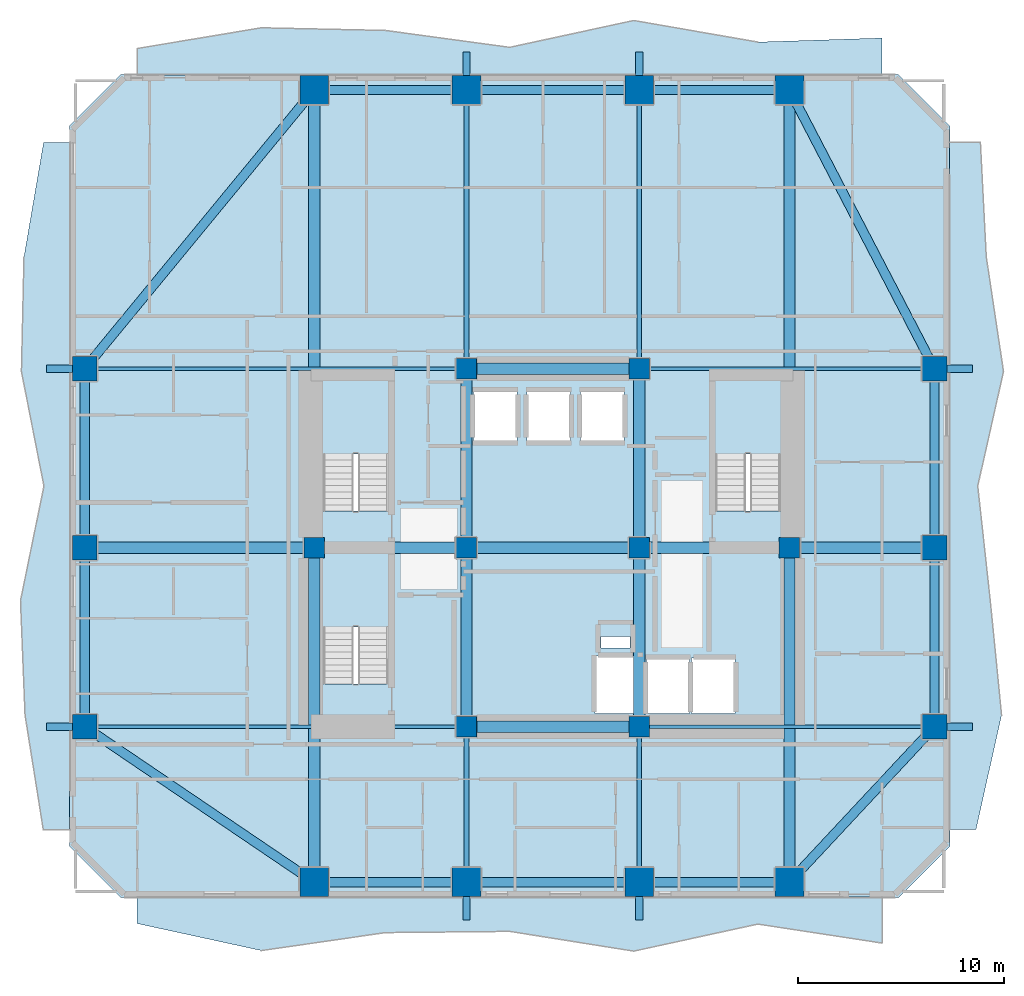
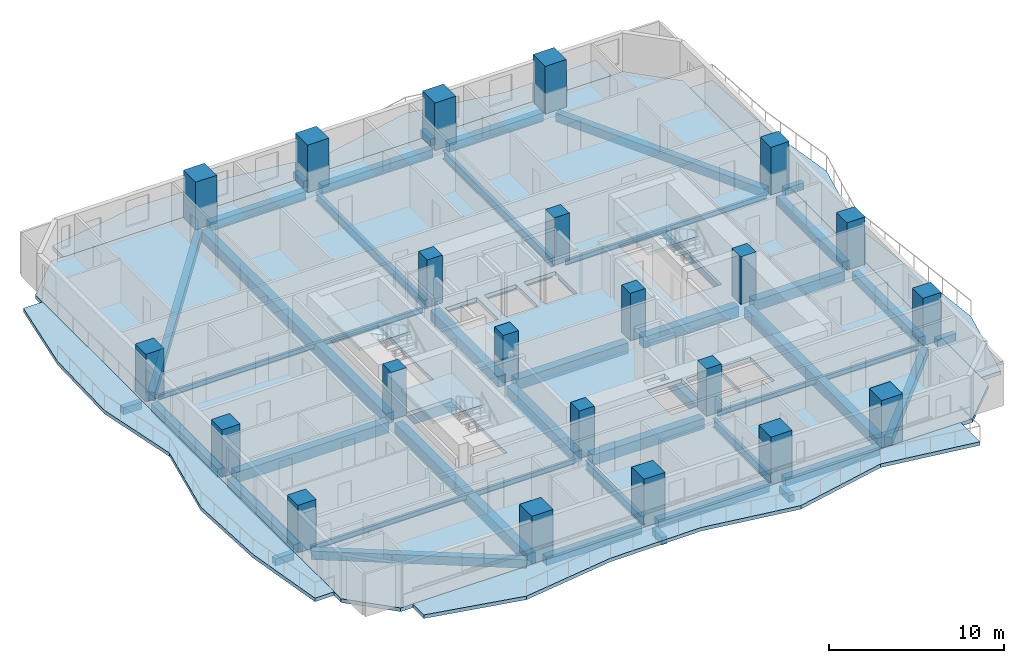
# One storey, part 1 of 12: 45 beams, 22 columns, 8 slabs, 3 elements without a shape of their own.
"""IFC4 building model written with IfcOpenShell, lengths in metres."""

import ifcopenshell
import ifcopenshell.guid

model = None  # the IFC model being written
_history = None  # IfcOwnerHistory: only IFC2X3 demands one
_inside = {}  # id of a spatial element -> (the spatial element, [elements in it])
_under = {}  # id of a project, library or spatial element -> (it, [spatial elements below it])
_declared = {}  # id of a project -> (the project, [libraries it declares])
_typed = {}  # id of a type object -> (the type object, [elements of that type])
_made_of = {}  # id of a material, layer set ... -> (it, [elements and type objects made of it])


def new_model(schema):
    """Start an empty IFC model of exactly this schema.

    Asked for "IFC4X3", IfcOpenShell would pick the latest addendum, in which some entities
    have other attributes; the version numbers below select the first issue.
    IFC2X3 requires an IfcOwnerHistory on every rooted entity: one is made here for all.
    """
    global model, _history
    if schema == "IFC4X3":
        model = ifcopenshell.file(schema_version=(4, 3, 0, 0))
    else:
        model = ifcopenshell.file(schema=schema)
    _inside.clear()
    _under.clear()
    _declared.clear()
    _typed.clear()
    _made_of.clear()
    _history = None
    if model.schema == "IFC2X3":
        org = make("IfcOrganization", Name="unknown")
        user = make(
            "IfcPersonAndOrganization",
            ThePerson=make("IfcPerson", FamilyName="unknown"),
            TheOrganization=org,
        )
        app = make(
            "IfcApplication",
            ApplicationDeveloper=org,
            Version="unknown",
            ApplicationFullName="unknown",
            ApplicationIdentifier="unknown",
        )
        _history = make(
            "IfcOwnerHistory",
            OwningUser=user,
            OwningApplication=app,
            ChangeAction="ADDED",
            CreationDate=0,
        )
    return model


def make(cls, **values):
    """One entity of the class cls with the attributes given. An attribute that is None is left unset."""
    return model.create_entity(
        cls, **{name: value for name, value in values.items() if value is not None}
    )


def rooted(cls, **values):
    """An entity with a GlobalId (a new one), such as an element, a storey or a relation."""
    return make(cls, GlobalId=ifcopenshell.guid.new(), OwnerHistory=_history, **values)


def si_unit(unit_type, name, prefix=None):
    """IfcSIUnit, for example si_unit("LENGTHUNIT", "METRE", prefix="MILLI")."""
    return make("IfcSIUnit", UnitType=unit_type, Prefix=prefix, Name=name)


def assignment(units):
    """IfcUnitAssignment: the units of a project."""
    return None if units is None else make("IfcUnitAssignment", Units=units)


def point(xyz):
    """IfcCartesianPoint."""
    return None if xyz is None else make("IfcCartesianPoint", Coordinates=xyz)


def direction(xyz):
    """IfcDirection."""
    return None if xyz is None else make("IfcDirection", DirectionRatios=xyz)


def frame(location, z_axis=None, x_axis=None):
    """IfcAxis2Placement3D, a coordinate frame: its origin and axes. An axis left out is left unset."""
    return make(
        "IfcAxis2Placement3D",
        Location=point(location),
        Axis=direction(z_axis),
        RefDirection=direction(x_axis),
    )


def frame_2d(location, x_axis=None):
    """IfcAxis2Placement2D, a coordinate frame in the plane: its origin and x axis."""
    return make(
        "IfcAxis2Placement2D", Location=point(location), RefDirection=direction(x_axis)
    )


def origin():
    """The frame at (0, 0, 0) with its axes left unset."""
    return frame((0.0, 0.0, 0.0))


def origin_2d():
    """The frame at (0, 0) in the plane with its x axis left unset."""
    return frame_2d((0.0, 0.0))


def place(relative_to, where):
    """IfcLocalPlacement: puts the frame where relative to a parent placement (None: the world)."""
    return make(
        "IfcLocalPlacement", PlacementRelTo=relative_to, RelativePlacement=where
    )


def context(
    kind, dimensions, precision=None, world=None, true_north=None, identifier=None
):
    """IfcGeometricRepresentationContext, for example the 3D "Model" context."""
    return make(
        "IfcGeometricRepresentationContext",
        ContextIdentifier=identifier,
        ContextType=kind,
        CoordinateSpaceDimension=dimensions,
        Precision=precision,
        WorldCoordinateSystem=world,
        TrueNorth=true_north,
    )


def subcontext(parent, identifier, kind, view, scale=None):
    """IfcGeometricRepresentationSubContext, for example "Body" below "Model"."""
    return make(
        "IfcGeometricRepresentationSubContext",
        ContextIdentifier=identifier,
        ContextType=kind,
        ParentContext=parent,
        TargetScale=scale,
        TargetView=view,
    )


def project(units=None, contexts=None):
    """IfcProject with its units and contexts."""
    return rooted(
        "IfcProject",
        Name="project",
        RepresentationContexts=contexts,
        UnitsInContext=assignment(units),
    )


def spatial(cls, under=None, at=None, **own):
    """A site, building, storey or space (cls), placed at a placement, below another one or the project."""
    s = rooted(cls, ObjectPlacement=at, **own)
    if under is not None:
        _under.setdefault(under.id(), (under, []))[1].append(s)
    return s


def polyline(points):
    """IfcPolyline through the points."""
    return make("IfcPolyline", Points=[point(p) for p in points])


def profile(cls, at=None, kind="AREA", **sizes):
    """A parametric profile (cls). Its sizes go by their IFC names, for example OverallWidth=200.0."""
    return make(cls, ProfileType=kind, Position=at, **sizes)


def rectangle(**sizes):
    """IfcRectangleProfileDef."""
    return profile("IfcRectangleProfileDef", **sizes)


def i_section(**sizes):
    """IfcIShapeProfileDef."""
    return profile("IfcIShapeProfileDef", **sizes)


def outline(outer, holes=None, kind="AREA"):
    """IfcArbitraryClosedProfileDef: a profile drawn as a closed curve; with holes, ...WithVoids."""
    if holes is None:
        return make("IfcArbitraryClosedProfileDef", ProfileType=kind, OuterCurve=outer)
    return make(
        "IfcArbitraryProfileDefWithVoids",
        ProfileType=kind,
        OuterCurve=outer,
        InnerCurves=holes,
    )


def extrude(swept, where, along, depth):
    """IfcExtrudedAreaSolid: the profile swept, set in the frame where, extruded along a direction by depth."""
    return make(
        "IfcExtrudedAreaSolid",
        SweptArea=swept,
        Position=where,
        ExtrudedDirection=direction(along),
        Depth=depth,
    )


def shape(context_of_items, identifier, shape_type, items):
    """IfcShapeRepresentation: the items that make up one representation, for example the "Body"."""
    return make(
        "IfcShapeRepresentation",
        ContextOfItems=context_of_items,
        RepresentationIdentifier=identifier,
        RepresentationType=shape_type,
        Items=items,
    )


def material(Name=None, Category=None):
    """IfcMaterial."""
    return make("IfcMaterial", Name=Name, Category=Category)


def layer(
    of_material, thickness, ventilated=None, Name=None, Category=None, Priority=None
):
    """IfcMaterialLayer: one layer of a wall or slab, of a material (None: an air gap)."""
    return make(
        "IfcMaterialLayer",
        Material=of_material,
        LayerThickness=thickness,
        IsVentilated=ventilated,
        Name=Name,
        Category=Category,
        Priority=Priority,
    )


def layer_set(layers, Name=None):
    """IfcMaterialLayerSet."""
    return make("IfcMaterialLayerSet", MaterialLayers=layers, LayerSetName=Name)


def material_profile(
    of_material, cross_section, Name=None, Category=None, Priority=None
):
    """IfcMaterialProfile: a cross section and its material."""
    return make(
        "IfcMaterialProfile",
        Name=Name,
        Material=of_material,
        Profile=cross_section,
        Priority=Priority,
        Category=Category,
    )


def profile_set(profiles, Name=None, composite=None):
    """IfcMaterialProfileSet."""
    return make(
        "IfcMaterialProfileSet",
        Name=Name,
        MaterialProfiles=profiles,
        CompositeProfile=composite,
    )


def made_of(thing, what):
    """Note that an element or type object is made of a material, layer set ...; save() writes the relation."""
    if what is not None:
        _made_of.setdefault(what.id(), (what, []))[1].append(thing)
    return thing


def type_object(cls, material=None, **own):
    """A type object (cls), such as IfcWallType, which elements share."""
    return made_of(rooted(cls, **own), material)


def element(
    cls,
    number,
    at=None,
    inside=None,
    cuts=None,
    type_object=None,
    material=None,
    context=None,
    identifier="Body",
    shape_type=None,
    held_by="IfcProductDefinitionShape",
    body=None,
    shapes=None,
    **own,
):
    """One element of the class cls, such as IfcWall. Its Tag is "e" and its number.

    at: its placement. inside: the storey or other place that contains it. cuts: it is an
    opening in that element (IfcRelVoidsElement). A single representation is given by context,
    identifier, shape_type and body (its items); several are given by shapes. held_by: the class
    of the entity that holds the representations. save() writes the other relations.
    """
    e = rooted(cls, Tag="e%d" % number, ObjectPlacement=at, **own)
    if body is not None:
        shapes = [shape(context, identifier, shape_type, body)]
    if shapes is not None:
        e.Representation = make(held_by, Representations=shapes)
    if inside is not None:
        _inside.setdefault(inside.id(), (inside, []))[1].append(e)
    if cuts is not None:
        rooted(
            "IfcRelVoidsElement", RelatingBuildingElement=cuts, RelatedOpeningElement=e
        )
    if type_object is not None:
        _typed.setdefault(type_object.id(), (type_object, []))[1].append(e)
    return made_of(e, material)


def aggregate(whole, parts):
    """IfcRelAggregates: a whole, such as a stair, and the parts it consists of."""
    return rooted("IfcRelAggregates", RelatingObject=whole, RelatedObjects=parts)


def save(model, path):
    """Write the relations noted so far, then the file.

    IfcRelAggregates (storeys below a building ...), IfcRelContainedInSpatialStructure (elements
    in a storey), IfcRelDefinesByType, IfcRelAssociatesMaterial and IfcRelDeclares: one each for
    every whole, place, type object, material and project.
    """
    for whole, parts in _under.values():
        aggregate(whole, parts)
    for where, things in _inside.values():
        rooted(
            "IfcRelContainedInSpatialStructure",
            RelatedElements=things,
            RelatingStructure=where,
        )
    for kind, things in _typed.values():
        rooted("IfcRelDefinesByType", RelatedObjects=things, RelatingType=kind)
    for what, things in _made_of.values():
        rooted("IfcRelAssociatesMaterial", RelatedObjects=things, RelatingMaterial=what)
    for by, libraries in _declared.values():
        rooted("IfcRelDeclares", RelatingContext=by, RelatedDefinitions=libraries)
    model.write(path)


model = new_model("IFC4")

# Units and contexts
model_context = context("Model", 3, precision=1e-05, world=origin(), true_north=direction((0.0, 1.0)))
body_context = subcontext(model_context, "Body", "Model", "MODEL_VIEW")
ifc_project = project(units=[si_unit("LENGTHUNIT", "METRE"), si_unit("AREAUNIT", "SQUARE_METRE"), si_unit("VOLUMEUNIT", "CUBIC_METRE"), si_unit("PLANEANGLEUNIT", "RADIAN"), si_unit("MASSUNIT", "GRAM", prefix="KILO")], contexts=[model_context])

# Site, building, storey
site_placement = place(None, origin())
site = spatial("IfcSite", under=ifc_project, at=site_placement, CompositionType="ELEMENT")
building_placement = place(site_placement, origin())
building = spatial("IfcBuilding", under=site, at=building_placement, Name="Solanera Arch Residences", CompositionType="ELEMENT")
storey_placement = place(building_placement, frame((0.0, 0.0, 85.080078125)))
storey = spatial("IfcBuildingStorey", under=building, at=storey_placement, Name="L24", CompositionType="ELEMENT", Elevation=85.080078125)

# Columns
ifc_material_1 = material(Name="Concrete C55/67 (f'c = 60 MPa)", Category="concrete")
ifc_material_profile_1 = material_profile(ifc_material_1, rectangle(XDim=1.0, YDim=1.0, at=origin_2d()))
ifc_profile_set_1 = profile_set([ifc_material_profile_1], Name="Concrete C55/67 (f'c = 60 MPa)")
column_type_1 = type_object("IfcColumnType", Name="Structural Column RC-COL-1000X1000", PredefinedType="COLUMN", material=ifc_profile_set_1)
for number, where, z_axis, x_axis, name in (
    (1, (20.800048828125, 22.0, 0.0), (0.0, 0.0, 1.0), (1.0, 0.0, 0.0), "COL-L24-CB-SW"),
    (2, (29.199951171875, 22.0, 0.0), (0.0, 0.0, 1.0), (1.0, 0.0, 0.0), "COL-L24-CB-SE"),
    (3, (20.800048828125, 39.39990234375, 0.0), (0.0, 0.0, 1.0), (1.0, 0.0, 0.0), "COL-L24-CB-NW"),
    (4, (29.199951171875, 39.39990234375, 0.0), (0.0, 0.0, 1.0), (1.0, 0.0, 0.0), "COL-L24-CB-NE"),
    (5, (13.39990234375, 30.699951171875, 0.0), (0.0, 0.0, 1.0), (1.0, 0.0, 0.0), "COL-L24-CB-WW"),
    (6, (36.5, 30.699951171875, 0.0), (0.0, 0.0, 1.0), (1.0, 0.0, 0.0), "COL-L24-CB-EE"),
    (7, (20.800048828125, 30.699951171875, 0.0), (0.0, 0.0, 1.0), (1.0, 0.0, 0.0), "COL-L24-CORE-W"),
    (8, (29.199951171875, 30.699951171875, 0.0), (0.0, 0.0, 1.0), (1.0, 0.0, 0.0), "COL-L24-CORE-E"),
):
    element("IfcColumn", number, at=place(storey_placement, frame(where, z_axis=z_axis, x_axis=x_axis)), inside=storey, type_object=column_type_1, Name=name, PredefinedType="COLUMN", context=body_context, shape_type="SweptSolid", body=[
        extrude(rectangle(XDim=1.0, YDim=1.0, at=origin_2d()), origin(), (0.0, 0.0, 1.0), 3.31982421875),
    ])
ifc_material_2 = material(Name="Concrete C55/67 (f'c = 60 MPa)", Category="concrete")
ifc_material_profile_2 = material_profile(ifc_material_2, rectangle(XDim=1.199951171875, YDim=1.199951171875, at=origin_2d()))
ifc_profile_set_2 = profile_set([ifc_material_profile_2], Name="Concrete C55/67 (f'c = 60 MPa)")
column_type_2 = type_object("IfcColumnType", Name="Structural Column RC-COL-1200X1200", PredefinedType="COLUMN", material=ifc_profile_set_2)
for number, where, z_axis, x_axis, name in (
    (9, (2.25, 22.0, 0.0), (0.0, 0.0, 1.0), (1.0, 0.0, 0.0), "COL-L24-TWR-09"),
    (10, (43.550048828125, 22.0, 0.0), (0.0, 0.0, 1.0), (1.0, 0.0, 0.0), "COL-L24-TWR-10"),
    (11, (2.25, 30.699951171875, 0.0), (0.0, 0.0, 1.0), (1.0, 0.0, 0.0), "COL-L24-TWR-11"),
    (12, (43.550048828125, 30.699951171875, 0.0), (0.0, 0.0, 1.0), (1.0, 0.0, 0.0), "COL-L24-TWR-12"),
    (13, (2.25, 39.39990234375, 0.0), (0.0, 0.0, 1.0), (1.0, 0.0, 0.0), "COL-L24-TWR-13"),
    (14, (43.550048828125, 39.39990234375, 0.0), (0.0, 0.0, 1.0), (1.0, 0.0, 0.0), "COL-L24-TWR-14"),
):
    element("IfcColumn", number, at=place(storey_placement, frame(where, z_axis=z_axis, x_axis=x_axis)), inside=storey, type_object=column_type_2, Name=name, PredefinedType="COLUMN", context=body_context, shape_type="SweptSolid", body=[
        extrude(rectangle(XDim=1.199951171875, YDim=1.199951171875, at=origin_2d()), origin(), (0.0, 0.0, 1.0), 3.31982421875),
    ])
ifc_material_3 = material(Name="Concrete C55/67 (f'c = 60 MPa)", Category="concrete")
ifc_material_profile_3 = material_profile(ifc_material_3, rectangle(XDim=1.39990234375, YDim=1.39990234375, at=origin_2d()))
ifc_profile_set_3 = profile_set([ifc_material_profile_3], Name="Concrete C55/67 (f'c = 60 MPa)")
column_type_3 = type_object("IfcColumnType", Name="Structural Column RC-COL-1400X1400", PredefinedType="COLUMN", material=ifc_profile_set_3)
for number, where, z_axis, x_axis, name in (
    (15, (13.39990234375, 14.449951171875, 0.0), (0.0, 0.0, 1.0), (1.0, 0.0, 0.0), "COL-L24-TWR-01"),
    (16, (13.39990234375, 52.949951171875, 0.0), (0.0, 0.0, 1.0), (1.0, 0.0, 0.0), "COL-L24-TWR-02"),
    (17, (20.800048828125, 14.449951171875, 0.0), (0.0, 0.0, 1.0), (1.0, 0.0, 0.0), "COL-L24-TWR-03"),
    (18, (20.800048828125, 52.949951171875, 0.0), (0.0, 0.0, 1.0), (1.0, 0.0, 0.0), "COL-L24-TWR-04"),
    (19, (29.199951171875, 14.449951171875, 0.0), (0.0, 0.0, 1.0), (1.0, 0.0, 0.0), "COL-L24-TWR-05"),
    (20, (29.199951171875, 52.949951171875, 0.0), (0.0, 0.0, 1.0), (1.0, 0.0, 0.0), "COL-L24-TWR-06"),
    (21, (36.5, 14.449951171875, 0.0), (0.0, 0.0, 1.0), (1.0, 0.0, 0.0), "COL-L24-TWR-07"),
    (22, (36.5, 52.949951171875, 0.0), (0.0, 0.0, 1.0), (1.0, 0.0, 0.0), "COL-L24-TWR-08"),
):
    element("IfcColumn", number, at=place(storey_placement, frame(where, z_axis=z_axis, x_axis=x_axis)), inside=storey, type_object=column_type_3, Name=name, PredefinedType="COLUMN", context=body_context, shape_type="SweptSolid", body=[
        extrude(rectangle(XDim=1.39990234375, YDim=1.39990234375, at=origin_2d()), origin(), (0.0, 0.0, 1.0), 3.31982421875),
    ])

# Beams
ifc_material_4 = material(Name="Concrete C40/50 (f'c = 45 MPa)", Category="concrete")
ifc_material_profile_4 = material_profile(ifc_material_4, rectangle(XDim=0.35009765625, YDim=0.5, at=origin_2d()))
ifc_profile_set_4 = profile_set([ifc_material_profile_4], Name="Concrete C40/50 (f'c = 45 MPa)")
beam_type_1 = type_object("IfcBeamType", Name="BM-BALC-RIB", PredefinedType="BEAM", material=ifc_profile_set_4)
for number, where, z_axis, x_axis, name in (
    (23, (20.800048828125, 12.60009765625, -0.5), (0.0, 1.0, 0.0), (-1.0, 0.0, 0.0), "BM-L24-BRIB-S1"),
    (24, (29.199951171875, 12.60009765625, -0.5), (0.0, 1.0, 0.0), (-1.0, 0.0, 0.0), "BM-L24-BRIB-S2"),
):
    element("IfcBeam", number, at=place(storey_placement, frame(where, z_axis=z_axis, x_axis=x_axis)), inside=storey, type_object=beam_type_1, Name=name, PredefinedType="BEAM", context=body_context, shape_type="SweptSolid", body=[
        extrude(rectangle(XDim=0.35009765625, YDim=0.5, at=origin_2d()), origin(), (0.0, 0.0, 1.0), 1.14990234375),
    ])
for number, where, z_axis, x_axis, name in (
    (25, (20.800048828125, 53.64990234375, -0.5), (0.0, 1.0, 0.0), (-1.0, 0.0, 0.0), "BM-L24-BRIB-N1"),
    (26, (29.199951171875, 53.64990234375, -0.5), (0.0, 1.0, 0.0), (-1.0, 0.0, 0.0), "BM-L24-BRIB-N2"),
):
    element("IfcBeam", number, at=place(storey_placement, frame(where, z_axis=z_axis, x_axis=x_axis)), inside=storey, type_object=beam_type_1, Name=name, PredefinedType="BEAM", context=body_context, shape_type="SweptSolid", body=[
        extrude(rectangle(XDim=0.35009765625, YDim=0.5, at=origin_2d()), origin(), (0.0, 0.0, 1.0), 1.150146484375),
    ])
for number, where, z_axis, x_axis, name in (
    (27, (44.14990234375, 22.0, -0.5), (1.0, 0.0, 0.0), (0.0, 1.0, 0.0), "BM-L24-BRIB-E1"),
    (28, (44.14990234375, 39.39990234375, -0.5), (1.0, 0.0, 0.0), (0.0, 1.0, 0.0), "BM-L24-BRIB-E2"),
    (29, (0.39990234375, 22.0, -0.5), (1.0, 0.0, 0.0), (0.0, 1.0, 0.0), "BM-L24-BRIB-W1"),
    (30, (0.39990234375, 39.39990234375, -0.5), (1.0, 0.0, 0.0), (0.0, 1.0, 0.0), "BM-L24-BRIB-W2"),
):
    element("IfcBeam", number, at=place(storey_placement, frame(where, z_axis=z_axis, x_axis=x_axis)), inside=storey, type_object=beam_type_1, Name=name, PredefinedType="BEAM", context=body_context, shape_type="SweptSolid", body=[
        extrude(rectangle(XDim=0.35009765625, YDim=0.5, at=origin_2d()), origin(), (0.0, 0.0, 1.0), 1.25),
    ])
ifc_material_5 = material(Name="Concrete C40/50 (f'c = 45 MPa)", Category="concrete")
ifc_material_profile_5 = material_profile(ifc_material_5, rectangle(XDim=0.550048828125, YDim=0.75, at=origin_2d()))
ifc_profile_set_5 = profile_set([ifc_material_profile_5], Name="Concrete C40/50 (f'c = 45 MPa)")
beam_type_2 = type_object("IfcBeamType", Name="Primary Beam RC-BM-550X750", PredefinedType="BEAM", material=ifc_profile_set_5)
beam_1_placement = place(storey_placement, frame((20.800048828125, 22.50390625, -0.635009765625), z_axis=(0.0, 1.0, 0.0), x_axis=(-1.0, 0.0, 0.0)))
element("IfcBeam", 31, at=beam_1_placement, inside=storey, type_object=beam_type_2, Name="BM-L24-CC-S-208", PredefinedType="BEAM", context=body_context, shape_type="SweptSolid", body=[
    extrude(rectangle(XDim=0.550048828125, YDim=0.75, at=origin_2d()), origin(), (0.0, 0.0, 1.0), 7.692138671875),
])
beam_2_placement = place(storey_placement, frame((20.800048828125, 31.2041015625, -0.635009765625), z_axis=(0.0, 1.0, 0.0), x_axis=(-1.0, 0.0, 0.0)))
element("IfcBeam", 32, at=beam_2_placement, inside=storey, type_object=beam_type_2, Name="BM-L24-CC-N-208", PredefinedType="BEAM", context=body_context, shape_type="SweptSolid", body=[
    extrude(rectangle(XDim=0.550048828125, YDim=0.75, at=origin_2d()), origin(), (0.0, 0.0, 1.0), 7.69189453125),
])
beam_3_placement = place(storey_placement, frame((29.199951171875, 22.50390625, -0.635009765625), z_axis=(0.0, 1.0, 0.0), x_axis=(-1.0, 0.0, 0.0)))
element("IfcBeam", 33, at=beam_3_placement, inside=storey, type_object=beam_type_2, Name="BM-L24-CC-S-292", PredefinedType="BEAM", context=body_context, shape_type="SweptSolid", body=[
    extrude(rectangle(XDim=0.550048828125, YDim=0.75, at=origin_2d()), origin(), (0.0, 0.0, 1.0), 7.692138671875),
])
beam_4_placement = place(storey_placement, frame((29.199951171875, 31.2041015625, -0.635009765625), z_axis=(0.0, 1.0, 0.0), x_axis=(-1.0, 0.0, 0.0)))
element("IfcBeam", 34, at=beam_4_placement, inside=storey, type_object=beam_type_2, Name="BM-L24-CC-N-292", PredefinedType="BEAM", context=body_context, shape_type="SweptSolid", body=[
    extrude(rectangle(XDim=0.550048828125, YDim=0.75, at=origin_2d()), origin(), (0.0, 0.0, 1.0), 7.69189453125),
])
for number, where, z_axis, x_axis, name in (
    (35, (21.303955078125, 22.0, -0.635009765625), (1.0, 0.0, 0.0), (0.0, 1.0, 0.0), "BM-L24-CC-M-220"),
    (36, (21.303955078125, 30.699951171875, -0.635009765625), (1.0, 0.0, 0.0), (0.0, 1.0, 0.0), "BM-L24-CC-M-307"),
    (37, (21.303955078125, 39.39990234375, -0.635009765625), (1.0, 0.0, 0.0), (0.0, 1.0, 0.0), "BM-L24-CC-M-394"),
):
    element("IfcBeam", number, at=place(storey_placement, frame(where, z_axis=z_axis, x_axis=x_axis)), inside=storey, type_object=beam_type_2, Name=name, PredefinedType="BEAM", context=body_context, shape_type="SweptSolid", body=[
        extrude(rectangle(XDim=0.550048828125, YDim=0.75, at=origin_2d()), origin(), (0.0, 0.0, 1.0), 7.39208984375),
    ])
beam_5_placement = place(storey_placement, frame((13.904052734375, 30.699951171875, -0.635009765625), z_axis=(1.0, 0.0, 0.0), x_axis=(0.0, 1.0, 0.0)))
element("IfcBeam", 38, at=beam_5_placement, inside=storey, type_object=beam_type_2, Name="BM-L24-CC-W", PredefinedType="BEAM", context=body_context, shape_type="SweptSolid", body=[
    extrude(rectangle(XDim=0.550048828125, YDim=0.75, at=origin_2d()), origin(), (0.0, 0.0, 1.0), 6.391845703125),
])
beam_6_placement = place(storey_placement, frame((29.7041015625, 30.699951171875, -0.635009765625), z_axis=(1.0, 0.0, 0.0), x_axis=(0.0, 1.0, 0.0)))
element("IfcBeam", 39, at=beam_6_placement, inside=storey, type_object=beam_type_2, Name="BM-L24-CC-E", PredefinedType="BEAM", context=body_context, shape_type="SweptSolid", body=[
    extrude(rectangle(XDim=0.550048828125, YDim=0.75, at=origin_2d()), origin(), (0.0, 0.0, 1.0), 6.2919921875),
])
beam_7_placement = place(storey_placement, frame((13.39990234375, 14.989990234375, -0.635009765625), z_axis=(0.0, 1.0, 0.0), x_axis=(-1.0, 0.0, 0.0)))
element("IfcBeam", 40, at=beam_7_placement, inside=storey, type_object=beam_type_2, Name="BM-L24-RAD-OS-134", PredefinedType="BEAM", context=body_context, shape_type="SweptSolid", body=[
    extrude(rectangle(XDim=0.550048828125, YDim=0.75, at=origin_2d()), origin(), (0.0, 0.0, 1.0), 15.2060546875),
])
beam_8_placement = place(storey_placement, frame((13.39990234375, 31.2041015625, -0.635009765625), z_axis=(0.0, 1.0, 0.0), x_axis=(-1.0, 0.0, 0.0)))
element("IfcBeam", 41, at=beam_8_placement, inside=storey, type_object=beam_type_2, Name="BM-L24-RAD-ON-134", PredefinedType="BEAM", context=body_context, shape_type="SweptSolid", body=[
    extrude(rectangle(XDim=0.550048828125, YDim=0.75, at=origin_2d()), origin(), (0.0, 0.0, 1.0), 21.205810546875),
])
beam_9_placement = place(storey_placement, frame((36.5, 14.989990234375, -0.635009765625), z_axis=(0.0, 1.0, 0.0), x_axis=(-1.0, 0.0, 0.0)))
element("IfcBeam", 42, at=beam_9_placement, inside=storey, type_object=beam_type_2, Name="BM-L24-RAD-OS-365", PredefinedType="BEAM", context=body_context, shape_type="SweptSolid", body=[
    extrude(rectangle(XDim=0.550048828125, YDim=0.75, at=origin_2d()), origin(), (0.0, 0.0, 1.0), 15.2060546875),
])
beam_10_placement = place(storey_placement, frame((36.5, 31.2041015625, -0.635009765625), z_axis=(0.0, 1.0, 0.0), x_axis=(-1.0, 0.0, 0.0)))
element("IfcBeam", 43, at=beam_10_placement, inside=storey, type_object=beam_type_2, Name="BM-L24-RAD-ON-365", PredefinedType="BEAM", context=body_context, shape_type="SweptSolid", body=[
    extrude(rectangle(XDim=0.550048828125, YDim=0.75, at=origin_2d()), origin(), (0.0, 0.0, 1.0), 21.205810546875),
])
beam_11_placement = place(storey_placement, frame((2.7900390625, 30.699951171875, -0.635009765625), z_axis=(1.0, 0.0, 0.0), x_axis=(0.0, 1.0, 0.0)))
element("IfcBeam", 44, at=beam_11_placement, inside=storey, type_object=beam_type_2, Name="BM-L24-RAD-MW", PredefinedType="BEAM", context=body_context, shape_type="SweptSolid", body=[
    extrude(rectangle(XDim=0.550048828125, YDim=0.75, at=origin_2d()), origin(), (0.0, 0.0, 1.0), 10.10595703125),
])
beam_12_placement = place(storey_placement, frame((37.00390625, 30.699951171875, -0.635009765625), z_axis=(1.0, 0.0, 0.0), x_axis=(0.0, 1.0, 0.0)))
element("IfcBeam", 45, at=beam_12_placement, inside=storey, type_object=beam_type_2, Name="BM-L24-RAD-ME", PredefinedType="BEAM", context=body_context, shape_type="SweptSolid", body=[
    extrude(rectangle(XDim=0.550048828125, YDim=0.75, at=origin_2d()), origin(), (0.0, 0.0, 1.0), 6.006103515625),
])
ifc_material_6 = material(Name="Steel S355 (ASTM A992 / A572 Grade 50)", Category="steel")
ifc_material_profile_6 = material_profile(ifc_material_6, i_section(OverallWidth=0.22998046875, OverallDepth=0.616943359375, WebThickness=0.01318359375, FlangeThickness=0.022216796875, at=origin_2d()))
ifc_profile_set_6 = profile_set([ifc_material_profile_6], Name="Steel S355 (ASTM A992 / A572 Grade 50)")
beam_type_3 = type_object("IfcBeamType", Name="Primary Beam W610X140", PredefinedType="BEAM", material=ifc_profile_set_6)
beam_13_placement = place(storey_placement, frame((20.800048828125, 14.989990234375, -0.569091796875), z_axis=(0.0, 1.0, 0.0), x_axis=(-1.0, 0.0, 0.0)))
element("IfcBeam", 46, at=beam_13_placement, inside=storey, type_object=beam_type_3, Name="BM-L24-RAD-S-208", PredefinedType="BEAM", context=body_context, shape_type="SweptSolid", body=[
    extrude(i_section(OverallWidth=0.22998046875, OverallDepth=0.616943359375, WebThickness=0.01318359375, FlangeThickness=0.022216796875, at=origin_2d()), origin(), (0.0, 0.0, 1.0), 6.506103515625),
])
beam_14_placement = place(storey_placement, frame((20.800048828125, 39.904052734375, -0.569091796875), z_axis=(0.0, 1.0, 0.0), x_axis=(-1.0, 0.0, 0.0)))
element("IfcBeam", 47, at=beam_14_placement, inside=storey, type_object=beam_type_3, Name="BM-L24-RAD-N-208", PredefinedType="BEAM", context=body_context, shape_type="SweptSolid", body=[
    extrude(i_section(OverallWidth=0.22998046875, OverallDepth=0.616943359375, WebThickness=0.01318359375, FlangeThickness=0.022216796875, at=origin_2d()), origin(), (0.0, 0.0, 1.0), 12.505859375),
])
beam_15_placement = place(storey_placement, frame((29.199951171875, 14.989990234375, -0.569091796875), z_axis=(0.0, 1.0, 0.0), x_axis=(-1.0, 0.0, 0.0)))
element("IfcBeam", 48, at=beam_15_placement, inside=storey, type_object=beam_type_3, Name="BM-L24-RAD-S-292", PredefinedType="BEAM", context=body_context, shape_type="SweptSolid", body=[
    extrude(i_section(OverallWidth=0.22998046875, OverallDepth=0.616943359375, WebThickness=0.01318359375, FlangeThickness=0.022216796875, at=origin_2d()), origin(), (0.0, 0.0, 1.0), 6.506103515625),
])
beam_16_placement = place(storey_placement, frame((29.199951171875, 39.904052734375, -0.569091796875), z_axis=(0.0, 1.0, 0.0), x_axis=(-1.0, 0.0, 0.0)))
element("IfcBeam", 49, at=beam_16_placement, inside=storey, type_object=beam_type_3, Name="BM-L24-RAD-N-292", PredefinedType="BEAM", context=body_context, shape_type="SweptSolid", body=[
    extrude(i_section(OverallWidth=0.22998046875, OverallDepth=0.616943359375, WebThickness=0.01318359375, FlangeThickness=0.022216796875, at=origin_2d()), origin(), (0.0, 0.0, 1.0), 12.505859375),
])
ifc_material_7 = material(Name="Steel S355 (ASTM A992 / A572 Grade 50)", Category="steel")
ifc_material_profile_7 = material_profile(ifc_material_7, i_section(OverallWidth=0.172119140625, OverallDepth=0.35791015625, WebThickness=0.0078125, FlangeThickness=0.01318359375, at=origin_2d()))
ifc_profile_set_7 = profile_set([ifc_material_profile_7], Name="Steel S355 (ASTM A992 / A572 Grade 50)")
beam_type_4 = type_object("IfcBeamType", Name="Secondary Joist W360X57.8", PredefinedType="JOIST", material=ifc_profile_set_7)
beam_17_placement = place(storey_placement, frame((2.7900390625, 22.0, -0.43896484375), z_axis=(1.0, 0.0, 0.0), x_axis=(0.0, 1.0, 0.0)))
element("IfcBeam", 50, at=beam_17_placement, inside=storey, type_object=beam_type_4, Name="BM-L24-RAD-W-220", PredefinedType="JOIST", context=body_context, shape_type="SweptSolid", body=[
    extrude(i_section(OverallWidth=0.172119140625, OverallDepth=0.35791015625, WebThickness=0.0078125, FlangeThickness=0.01318359375, at=origin_2d()), origin(), (0.0, 0.0, 1.0), 17.505859375),
])
beam_18_placement = place(storey_placement, frame((29.7041015625, 22.0, -0.43896484375), z_axis=(1.0, 0.0, 0.0), x_axis=(0.0, 1.0, 0.0)))
element("IfcBeam", 51, at=beam_18_placement, inside=storey, type_object=beam_type_4, Name="BM-L24-RAD-E-220", PredefinedType="JOIST", context=body_context, shape_type="SweptSolid", body=[
    extrude(i_section(OverallWidth=0.172119140625, OverallDepth=0.35791015625, WebThickness=0.0078125, FlangeThickness=0.01318359375, at=origin_2d()), origin(), (0.0, 0.0, 1.0), 13.305908203125),
])
beam_19_placement = place(storey_placement, frame((2.7900390625, 39.39990234375, -0.43896484375), z_axis=(1.0, 0.0, 0.0), x_axis=(0.0, 1.0, 0.0)))
element("IfcBeam", 52, at=beam_19_placement, inside=storey, type_object=beam_type_4, Name="BM-L24-RAD-W-394", PredefinedType="JOIST", context=body_context, shape_type="SweptSolid", body=[
    extrude(i_section(OverallWidth=0.172119140625, OverallDepth=0.35791015625, WebThickness=0.0078125, FlangeThickness=0.01318359375, at=origin_2d()), origin(), (0.0, 0.0, 1.0), 17.505859375),
])
beam_20_placement = place(storey_placement, frame((29.7041015625, 39.39990234375, -0.43896484375), z_axis=(1.0, 0.0, 0.0), x_axis=(0.0, 1.0, 0.0)))
element("IfcBeam", 53, at=beam_20_placement, inside=storey, type_object=beam_type_4, Name="BM-L24-RAD-E-394", PredefinedType="JOIST", context=body_context, shape_type="SweptSolid", body=[
    extrude(i_section(OverallWidth=0.172119140625, OverallDepth=0.35791015625, WebThickness=0.0078125, FlangeThickness=0.01318359375, at=origin_2d()), origin(), (0.0, 0.0, 1.0), 13.305908203125),
])
ifc_material_8 = material(Name="Concrete C40/50 (f'c = 45 MPa)", Category="concrete")
ifc_material_profile_8 = material_profile(ifc_material_8, rectangle(XDim=0.449951171875, YDim=0.60009765625, at=origin_2d()))
ifc_profile_set_8 = profile_set([ifc_material_profile_8], Name="Concrete C40/50 (f'c = 45 MPa)")
beam_type_5 = type_object("IfcBeamType", Name="Spandrel Beam RC-BM-450X600", PredefinedType="SPANDREL", material=ifc_profile_set_8)
for number, where, z_axis, x_axis, name in (
    (54, (13.93994140625, 14.449951171875, -0.56005859375), (1.0, 0.0, 0.0), (0.0, 1.0, 0.0), "BM-L24-SPN-S-1"),
    (55, (13.93994140625, 52.949951171875, -0.56005859375), (1.0, 0.0, 0.0), (0.0, 1.0, 0.0), "BM-L24-SPN-N-1"),
):
    element("IfcBeam", number, at=place(storey_placement, frame(where, z_axis=z_axis, x_axis=x_axis)), inside=storey, type_object=beam_type_5, Name=name, PredefinedType="SPANDREL", context=body_context, shape_type="SweptSolid", body=[
        extrude(rectangle(XDim=0.449951171875, YDim=0.60009765625, at=origin_2d()), origin(), (0.0, 0.0, 1.0), 6.320068359375),
    ])
for number, where, z_axis, x_axis, name in (
    (56, (21.340087890625, 14.449951171875, -0.56005859375), (1.0, 0.0, 0.0), (0.0, 1.0, 0.0), "BM-L24-SPN-S-2"),
    (57, (21.340087890625, 52.949951171875, -0.56005859375), (1.0, 0.0, 0.0), (0.0, 1.0, 0.0), "BM-L24-SPN-N-2"),
):
    element("IfcBeam", number, at=place(storey_placement, frame(where, z_axis=z_axis, x_axis=x_axis)), inside=storey, type_object=beam_type_5, Name=name, PredefinedType="SPANDREL", context=body_context, shape_type="SweptSolid", body=[
        extrude(rectangle(XDim=0.449951171875, YDim=0.60009765625, at=origin_2d()), origin(), (0.0, 0.0, 1.0), 7.31982421875),
    ])
for number, where, z_axis, x_axis, name in (
    (58, (29.739990234375, 14.449951171875, -0.56005859375), (1.0, 0.0, 0.0), (0.0, 1.0, 0.0), "BM-L24-SPN-S-3"),
    (59, (29.739990234375, 52.949951171875, -0.56005859375), (1.0, 0.0, 0.0), (0.0, 1.0, 0.0), "BM-L24-SPN-N-3"),
):
    element("IfcBeam", number, at=place(storey_placement, frame(where, z_axis=z_axis, x_axis=x_axis)), inside=storey, type_object=beam_type_5, Name=name, PredefinedType="SPANDREL", context=body_context, shape_type="SweptSolid", body=[
        extrude(rectangle(XDim=0.449951171875, YDim=0.60009765625, at=origin_2d()), origin(), (0.0, 0.0, 1.0), 6.219970703125),
    ])
for number, where, z_axis, x_axis, name in (
    (60, (2.25, 22.5400390625, -0.56005859375), (0.0, 1.0, 0.0), (-1.0, 0.0, 0.0), "BM-L24-SPN-W-1"),
    (61, (43.550048828125, 22.5400390625, -0.56005859375), (0.0, 1.0, 0.0), (-1.0, 0.0, 0.0), "BM-L24-SPN-E-1"),
):
    element("IfcBeam", number, at=place(storey_placement, frame(where, z_axis=z_axis, x_axis=x_axis)), inside=storey, type_object=beam_type_5, Name=name, PredefinedType="SPANDREL", context=body_context, shape_type="SweptSolid", body=[
        extrude(rectangle(XDim=0.449951171875, YDim=0.60009765625, at=origin_2d()), origin(), (0.0, 0.0, 1.0), 7.619873046875),
    ])
for number, where, z_axis, x_axis, name in (
    (62, (2.25, 31.239990234375, -0.56005859375), (0.0, 1.0, 0.0), (-1.0, 0.0, 0.0), "BM-L24-SPN-W-2"),
    (63, (43.550048828125, 31.239990234375, -0.56005859375), (0.0, 1.0, 0.0), (-1.0, 0.0, 0.0), "BM-L24-SPN-E-2"),
):
    element("IfcBeam", number, at=place(storey_placement, frame(where, z_axis=z_axis, x_axis=x_axis)), inside=storey, type_object=beam_type_5, Name=name, PredefinedType="SPANDREL", context=body_context, shape_type="SweptSolid", body=[
        extrude(rectangle(XDim=0.449951171875, YDim=0.60009765625, at=origin_2d()), origin(), (0.0, 0.0, 1.0), 7.6201171875),
    ])
beam_21_placement = place(storey_placement, frame((12.952880859375, 14.7529296875, -0.56005859375), z_axis=(-0.828047103834, 0.560658535859, 0.0), x_axis=(-0.560658535859, -0.828047103834, 0.0)))
element("IfcBeam", 64, at=beam_21_placement, inside=storey, type_object=beam_type_5, Name="BM-L24-SPN-SW", PredefinedType="SPANDREL", context=body_context, shape_type="SweptSolid", body=[
    extrude(rectangle(XDim=0.449951171875, YDim=0.60009765625, at=origin_2d()), origin(), (0.0, 0.0, 1.0), 12.385498046875),
])
beam_22_placement = place(storey_placement, frame((13.056884765625, 52.532958984375, -0.56005859375), z_axis=(-0.635411006368, -0.772174107949, 0.0), x_axis=(0.772174107949, -0.635411006368, 0.0)))
element("IfcBeam", 65, at=beam_22_placement, inside=storey, type_object=beam_type_5, Name="BM-L24-SPN-NW", PredefinedType="SPANDREL", context=body_context, shape_type="SweptSolid", body=[
    extrude(rectangle(XDim=0.449951171875, YDim=0.60009765625, at=origin_2d()), origin(), (0.0, 0.0, 1.0), 16.4677734375),
])
beam_23_placement = place(storey_placement, frame((36.868896484375, 14.844970703125, -0.56005859375), z_axis=(0.68247247993, 0.730911290198, 0.0), x_axis=(-0.730911290198, 0.68247247993, 0.0)))
element("IfcBeam", 66, at=beam_23_placement, inside=storey, type_object=beam_type_5, Name="BM-L24-SPN-SE", PredefinedType="SPANDREL", context=body_context, shape_type="SweptSolid", body=[
    extrude(rectangle(XDim=0.449951171875, YDim=0.60009765625, at=origin_2d()), origin(), (0.0, 0.0, 1.0), 9.248779296875),
])
beam_24_placement = place(storey_placement, frame((36.7490234375, 52.470947265625, -0.56005859375), z_axis=(0.461582336362, -0.887097371633, 0.0), x_axis=(0.887097371633, 0.461582336362, 0.0)))
element("IfcBeam", 67, at=beam_24_placement, inside=storey, type_object=beam_type_5, Name="BM-L24-SPN-NE", PredefinedType="SPANDREL", context=body_context, shape_type="SweptSolid", body=[
    extrude(rectangle(XDim=0.449951171875, YDim=0.60009765625, at=origin_2d()), origin(), (0.0, 0.0, 1.0), 14.194580078125),
])

# Slabs
ifc_material_9 = material(Name="Concrete C40/50 (f'c = 45 MPa)", Category="concrete")
ifc_layer_1 = layer(ifc_material_9, 0.25)
ifc_layer_set_1 = layer_set([ifc_layer_1], Name="Concrete C40/50 (f'c = 45 MPa)")
slab_type_1 = type_object("IfcSlabType", Name="Balcony Slab 250", PredefinedType="FLOOR", material=ifc_layer_set_1)
slab_1_placement = place(storey_placement, frame((0.0, 0.0, -0.25)))
element("IfcSlab", 68, at=slab_1_placement, inside=storey, type_object=slab_type_1, Name="L24 S Rippling Brise-Soleil Balcony Slab", PredefinedType="FLOOR", context=body_context, shape_type="SweptSolid", body=[
    extrude(outline(polyline([(4.800048828125, 12.43505859375), (10.8330078125, 11.123046875), (16.866943359375, 11.9970703125), (22.89990234375, 12.056884765625), (28.93310546875, 11.096923828125), (34.967041015625, 12.412109375), (41.0, 11.488037109375), (41.0, 13.719970703125), (4.800048828125, 13.719970703125), (4.800048828125, 12.43505859375)])), origin(), (0.0, 0.0, 1.0), 0.25),
])
slab_2_placement = place(storey_placement, frame((0.0, 0.0, -0.25)))
element("IfcSlab", 69, at=slab_2_placement, inside=storey, type_object=slab_type_1, Name="L24 N Rippling Brise-Soleil Balcony Slab", PredefinedType="FLOOR", context=body_context, shape_type="SweptSolid", body=[
    extrude(outline(polyline([(41.0, 55.47412109375), (34.967041015625, 55.277099609375), (28.93310546875, 56.325927734375), (22.89990234375, 55.02099609375), (16.866943359375, 55.842041015625), (10.8330078125, 55.970947265625), (4.800048828125, 54.965087890625), (4.800048828125, 53.679931640625), (41.0, 53.679931640625), (41.0, 55.47412109375)])), origin(), (0.0, 0.0, 1.0), 0.25),
])
slab_3_placement = place(storey_placement, frame((0.0, 0.0, -0.25)))
element("IfcSlab", 70, at=slab_3_placement, inside=storey, type_object=slab_type_1, Name="L24 E Rippling Brise-Soleil Balcony Slab", PredefinedType="FLOOR", context=body_context, shape_type="SweptSolid", body=[
    extrude(outline(polyline([(45.56494140625, 17.0), (46.80908203125, 22.56689453125), (46.259033203125, 28.133056640625), (45.64990234375, 33.699951171875), (46.903076171875, 39.26708984375), (46.06494140625, 44.8330078125), (45.779052734375, 50.39990234375), (44.280029296875, 50.39990234375), (44.280029296875, 17.0), (45.56494140625, 17.0)])), origin(), (0.0, 0.0, 1.0), 0.25),
])
slab_4_placement = place(storey_placement, frame((0.0, 0.0, -0.25)))
element("IfcSlab", 71, at=slab_4_placement, inside=storey, type_object=slab_type_1, Name="L24 W Rippling Brise-Soleil Balcony Slab", PredefinedType="FLOOR", context=body_context, shape_type="SweptSolid", body=[
    extrude(outline(polyline([(0.25, 50.39990234375), (-0.702880859375, 44.8330078125), (-0.826904296875, 39.26708984375), (0.26904296875, 33.699951171875), (-0.8720703125, 28.133056640625), (-0.65087890625, 22.56689453125), (0.235107421875, 17.0), (1.52001953125, 17.0), (1.52001953125, 50.39990234375), (0.25, 50.39990234375)])), origin(), (0.0, 0.0, 1.0), 0.25),
])

# Stair, slab
ifc_material_10 = material(Name="Concrete C40/50 (f'c = 45 MPa)", Category="concrete")
stair_type = type_object("IfcStairType", Name="Tower Dogleg Exit Stair 1480", PredefinedType="HALF_TURN_STAIR", material=ifc_material_10)
stair_1_placement = place(storey_placement, origin())
stair_1 = element("IfcStair", 72, at=stair_1_placement, inside=storey, type_object=stair_type, Name="L24 Tower Core Exit Stair 1", PredefinedType="HALF_TURN_STAIR")
ifc_material_11 = material(Name="Concrete C40/50 (f'c = 45 MPa)", Category="concrete")
ifc_layer_2 = layer(ifc_material_11, 0.199951171875)
ifc_layer_set_2 = layer_set([ifc_layer_2], Name="Concrete C40/50 (f'c = 45 MPa)")
slab_type_2 = type_object("IfcSlabType", Name="Stair Half-Landing Slab 200", PredefinedType="LANDING", material=ifc_layer_set_2)
slab_5_placement = place(storey_placement, frame((0.0, 0.0, 1.4599609375)))
slab_5 = element("IfcSlab", 73, at=slab_5_placement, type_object=slab_type_2, Name="ST-T1 landing 1", PredefinedType="LANDING", context=body_context, shape_type="SweptSolid", body=[
    extrude(outline(polyline([(17.1201171875, 35.260009765625), (17.1201171875, 38.919921875), (13.719970703125, 38.919921875), (13.719970703125, 35.260009765625), (17.1201171875, 35.260009765625)])), origin(), (0.0, 0.0, 1.0), 0.199951171875),
])
aggregate(stair_1, [slab_5])

stair_2_placement = place(storey_placement, origin())
stair_2 = element("IfcStair", 74, at=stair_2_placement, inside=storey, type_object=stair_type, Name="L24 Tower Core Exit Stair 2", PredefinedType="HALF_TURN_STAIR")
slab_6_placement = place(storey_placement, frame((0.0, 0.0, 1.4599609375)))
slab_6 = element("IfcSlab", 75, at=slab_6_placement, type_object=slab_type_2, Name="ST-T2 landing 1", PredefinedType="LANDING", context=body_context, shape_type="SweptSolid", body=[
    extrude(outline(polyline([(36.179931640625, 35.260009765625), (36.179931640625, 38.919921875), (32.780029296875, 38.919921875), (32.780029296875, 35.260009765625), (36.179931640625, 35.260009765625)])), origin(), (0.0, 0.0, 1.0), 0.199951171875),
])
aggregate(stair_2, [slab_6])

stair_3_placement = place(storey_placement, origin())
stair_3 = element("IfcStair", 76, at=stair_3_placement, inside=storey, type_object=stair_type, Name="L24 Tower Core Exit Stair 3", PredefinedType="HALF_TURN_STAIR")
slab_7_placement = place(storey_placement, frame((0.0, 0.0, 1.4599609375)))
slab_7 = element("IfcSlab", 77, at=slab_7_placement, type_object=slab_type_2, Name="ST-T3 landing 1", PredefinedType="LANDING", context=body_context, shape_type="SweptSolid", body=[
    extrude(outline(polyline([(17.1201171875, 26.860107421875), (17.1201171875, 30.52001953125), (13.719970703125, 30.52001953125), (13.719970703125, 26.860107421875), (17.1201171875, 26.860107421875)])), origin(), (0.0, 0.0, 1.0), 0.199951171875),
])
aggregate(stair_3, [slab_7])

# Slab
ifc_material_12 = material(Name="Concrete C40/50 (f'c = 45 MPa)", Category="concrete")
ifc_layer_3 = layer(ifc_material_12, 0.260009765625)
ifc_layer_set_3 = layer_set([ifc_layer_3], Name="Concrete C40/50 (f'c = 45 MPa)")
slab_type_3 = type_object("IfcSlabType", Name="Suspended Floor Slab Post-Tensioned 260", PredefinedType="FLOOR", material=ifc_layer_set_3)
slab_8_placement = place(storey_placement, frame((0.0, 0.0, -0.260009765625)))
element("IfcSlab", 78, at=slab_8_placement, inside=storey, type_object=slab_type_3, Name="L24 Tower Post-Tensioned Floor Slab", PredefinedType="FLOOR", context=body_context, shape_type="SweptSolid", body=[
    extrude(outline(polyline([(4.0, 13.699951171875), (41.800048828125, 13.699951171875), (44.300048828125, 16.199951171875), (44.300048828125, 51.199951171875), (41.800048828125, 53.699951171875), (4.0, 53.699951171875), (1.5, 51.199951171875), (1.5, 16.199951171875), (4.0, 13.699951171875)]), holes=[polyline([(13.840087890625, 32.48291015625), (13.840087890625, 38.800048828125), (17.0, 38.800048828125), (17.0, 32.48291015625), (13.840087890625, 32.48291015625)]), polyline([(32.89990234375, 32.48291015625), (32.89990234375, 38.800048828125), (36.06005859375, 38.800048828125), (36.06005859375, 32.48291015625), (32.89990234375, 32.48291015625)]), polyline([(13.840087890625, 24.0830078125), (13.840087890625, 30.39990234375), (17.0, 30.39990234375), (17.0, 24.0830078125), (13.840087890625, 24.0830078125)]), polyline([(21.14990234375, 38.35009765625), (23.25, 38.35009765625), (23.25, 35.85009765625), (21.14990234375, 35.85009765625), (21.14990234375, 38.35009765625)]), polyline([(23.75, 38.35009765625), (25.85009765625, 38.35009765625), (25.85009765625, 35.85009765625), (23.75, 35.85009765625), (23.75, 38.35009765625)]), polyline([(26.35009765625, 38.35009765625), (28.449951171875, 38.35009765625), (28.449951171875, 35.85009765625), (26.35009765625, 35.85009765625), (26.35009765625, 38.35009765625)]), polyline([(29.550048828125, 25.35009765625), (31.64990234375, 25.35009765625), (31.64990234375, 22.64990234375), (29.550048828125, 22.64990234375), (29.550048828125, 25.35009765625)]), polyline([(31.75, 25.35009765625), (33.85009765625, 25.35009765625), (33.85009765625, 22.64990234375), (31.75, 22.64990234375), (31.75, 25.35009765625)]), polyline([(27.050048828125, 25.449951171875), (29.35009765625, 25.449951171875), (29.35009765625, 22.64990234375), (27.050048828125, 22.64990234375), (27.050048828125, 25.449951171875)]), polyline([(27.340087890625, 26.3798828125), (28.760009765625, 26.3798828125), (28.760009765625, 25.820068359375), (27.340087890625, 25.820068359375), (27.340087890625, 26.3798828125)])]), origin(), (0.0, 0.0, 1.0), 0.260009765625),
])

save(model, "model.ifc")
